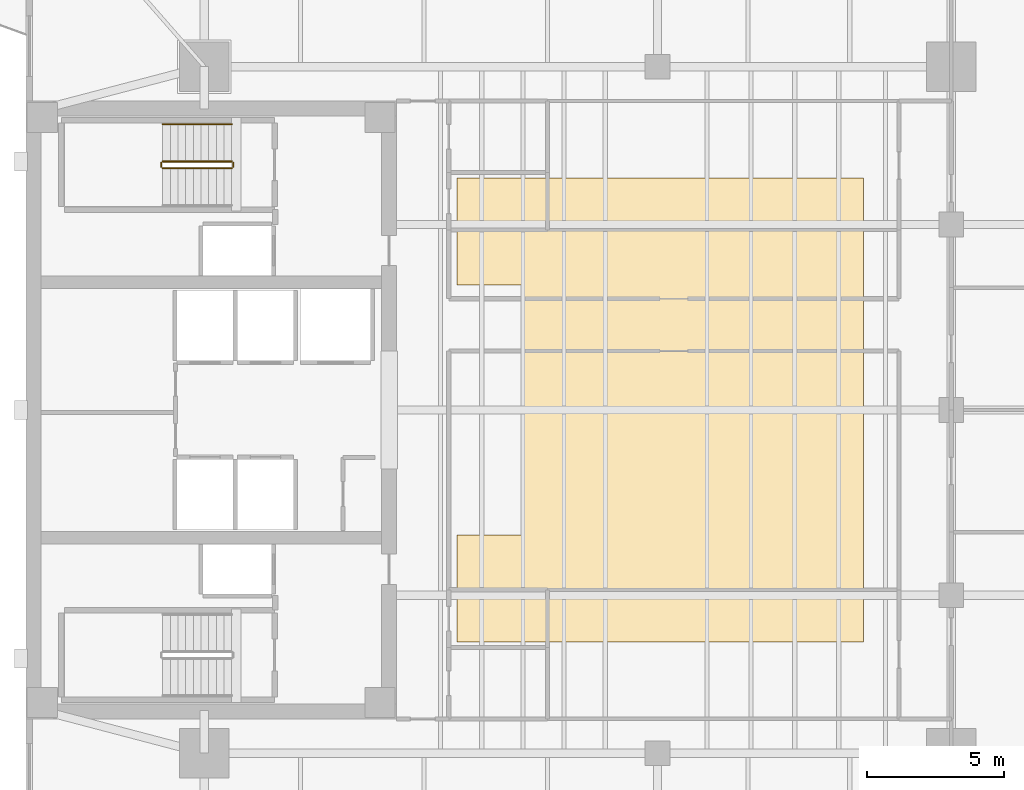
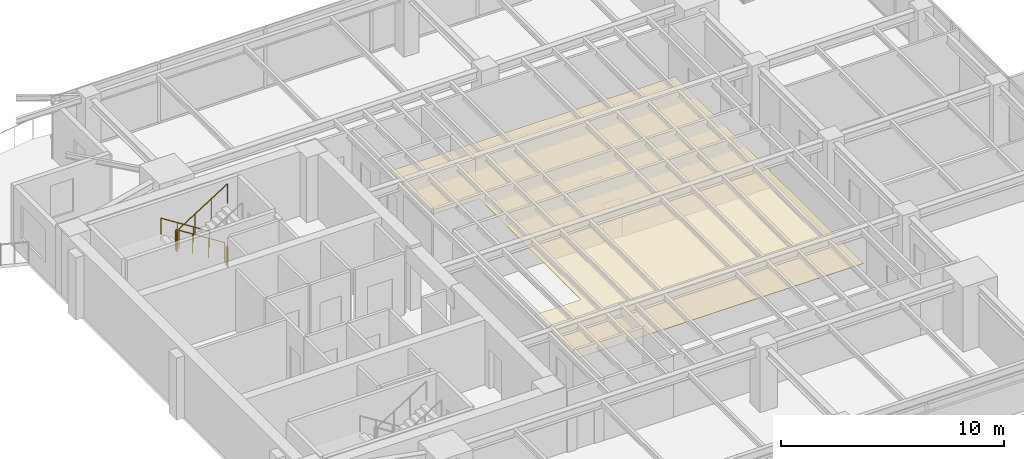
# One storey, part 13 of 14: 5 railings, 1 covering.
"""IFC4 building model written with IfcOpenShell, lengths in metres."""

from ifc_helpers import new_model, si_unit, direction, frame, origin, origin_2d, place, context, subcontext, project, spatial, polyline, circle, outline, extrude, material, layer, layer_set, type_object, element, save


model = new_model("IFC4")

# Units and contexts
model_context = context("Model", 3, precision=1e-05, world=origin(), true_north=direction((0.0, 1.0)))
body_context = subcontext(model_context, "Body", "Model", "MODEL_VIEW")
ifc_project = project(units=[si_unit("LENGTHUNIT", "METRE"), si_unit("AREAUNIT", "SQUARE_METRE"), si_unit("VOLUMEUNIT", "CUBIC_METRE"), si_unit("PLANEANGLEUNIT", "RADIAN"), si_unit("MASSUNIT", "GRAM", prefix="KILO")], contexts=[model_context])

# Site, building, storey
site_placement = place(None, origin())
site = spatial("IfcSite", under=ifc_project, at=site_placement, CompositionType="ELEMENT")
building_placement = place(site_placement, origin())
building = spatial("IfcBuilding", under=site, at=building_placement, Name="Kinhvarn Gate Tower", CompositionType="ELEMENT")
storey_placement = place(building_placement, frame((0.0, 0.0, 209.35009765625)))
storey = spatial("IfcBuildingStorey", under=building, at=storey_placement, Name="L55", CompositionType="ELEMENT", Elevation=209.35009765625)

# Covering
ifc_material_1 = material(Name="Mineral-fibre acoustic ceiling tile")
ifc_layer = layer(ifc_material_1, 0.02001953125)
ifc_layer_set = layer_set([ifc_layer], Name="Mineral-fibre acoustic ceiling tile")
covering_type = type_object("IfcCoveringType", Name="COV-CEIL-20", PredefinedType="CEILING", material=ifc_layer_set)
covering_placement = place(storey_placement, frame((0.0, 0.0, 2.64990234375)))
element("IfcCovering", 1, at=covering_placement, inside=storey, type_object=covering_type, Name="Suspended Acoustic Ceiling Tile (L55-1)", PredefinedType="CEILING", context=body_context, shape_type="SweptSolid", body=[
    extrude(outline(polyline([(35.0, 33.699951171875), (35.0, 16.800048828125), (20.199951171875, 16.800048828125), (20.199951171875, 20.699951171875), (22.60009765625, 20.699951171875), (22.60009765625, 29.800048828125), (20.199951171875, 29.800048828125), (20.199951171875, 33.699951171875), (35.0, 33.699951171875)])), origin(), (0.0, 0.0, 1.0), 0.02001953125),
])

# Railings
ifc_material_2 = material(Name="Steel S355", Category="steel")
railing_type_1 = type_object("IfcRailingType", Name="RL-ST-GRD", PredefinedType="BALUSTRADE", material=ifc_material_2)
railing_1_placement = place(storey_placement, frame((12.0, 34.300048828125, 0.177490234375)))
element("IfcRailing", 2, at=railing_1_placement, inside=storey, type_object=railing_type_1, Name="L55 ST2 stair guard 1", PredefinedType="BALUSTRADE", context=body_context, shape_type="SweptSolid", body=[
    extrude(circle(Radius=0.02392578125, at=origin_2d()), frame((0.0, 0.0, 1.076171875), z_axis=(-0.84460694969, 0.0, 0.535386869969), x_axis=(0.0, -1.0, 0.0)), (0.0, 0.0, 1.0), 2.983642578125),
    extrude(circle(Radius=0.02099609375, at=origin_2d()), origin(), (0.0, 0.0, 1.0), 1.052001953125),
    extrude(circle(Radius=0.02099609375, at=origin_2d()), frame((-0.840087890625, 0.0, 0.532470703125)), (0.0, 0.0, 1.0), 1.052001953125),
    extrude(circle(Radius=0.02099609375, at=origin_2d()), frame((-1.679931640625, 0.0, 1.06494140625)), (0.0, 0.0, 1.0), 1.052001953125),
    extrude(circle(Radius=0.02099609375, at=origin_2d()), frame((-2.52001953125, 0.0, 1.597412109375)), (0.0, 0.0, 1.0), 1.052001953125),
])
railing_2_placement = place(storey_placement, frame((9.429931640625, 34.25, 1.77490234375)))
element("IfcRailing", 3, at=railing_2_placement, inside=storey, type_object=railing_type_1, Name="L55 ST2 stair guard 2", PredefinedType="BALUSTRADE", context=body_context, shape_type="SweptSolid", body=[
    extrude(circle(Radius=0.02392578125, at=origin_2d()), frame((0.0, 0.0, 1.076171875), z_axis=(0.0, -1.0, 0.0), x_axis=(1.0, 0.0, 0.0)), (0.0, 0.0, 1.0), 0.14990234375),
    extrude(circle(Radius=0.02099609375, at=origin_2d()), origin(), (0.0, 0.0, 1.0), 1.052001953125),
    extrude(circle(Radius=0.02099609375, at=origin_2d()), frame((0.0, -0.14990234375, 0.0)), (0.0, 0.0, 1.0), 1.052001953125),
])
railing_3_placement = place(storey_placement, frame((9.47998046875, 34.050048828125, 1.952392578125)))
element("IfcRailing", 4, at=railing_3_placement, inside=storey, type_object=railing_type_1, Name="L55 ST2 stair guard 3", PredefinedType="BALUSTRADE", context=body_context, shape_type="SweptSolid", body=[
    extrude(circle(Radius=0.02392578125, at=origin_2d()), frame((0.0, 0.0, 1.076171875), z_axis=(0.84460694969, 0.0, 0.535386869969), x_axis=(0.0, 1.0, 0.0)), (0.0, 0.0, 1.0), 2.983642578125),
    extrude(circle(Radius=0.02099609375, at=origin_2d()), origin(), (0.0, 0.0, 1.0), 1.052001953125),
    extrude(circle(Radius=0.02099609375, at=origin_2d()), frame((0.840087890625, 0.0, 0.532470703125)), (0.0, 0.0, 1.0), 1.052001953125),
    extrude(circle(Radius=0.02099609375, at=origin_2d()), frame((1.679931640625, 0.0, 1.06494140625)), (0.0, 0.0, 1.0), 1.052001953125),
    extrude(circle(Radius=0.02099609375, at=origin_2d()), frame((2.52001953125, 0.0, 1.597412109375)), (0.0, 0.0, 1.0), 1.052001953125),
])
railing_4_placement = place(storey_placement, frame((12.050048828125, 34.25, 0.0)))
element("IfcRailing", 5, at=railing_4_placement, inside=storey, type_object=railing_type_1, Name="L55 ST2 stair guard 4", PredefinedType="BALUSTRADE", context=body_context, shape_type="SweptSolid", body=[
    extrude(circle(Radius=0.02392578125, at=origin_2d()), frame((0.0, 0.0, 1.076171875), z_axis=(0.0, -1.0, 0.0), x_axis=(1.0, 0.0, 0.0)), (0.0, 0.0, 1.0), 0.14990234375),
    extrude(circle(Radius=0.02099609375, at=origin_2d()), origin(), (0.0, 0.0, 1.0), 1.052001953125),
    extrude(circle(Radius=0.02099609375, at=origin_2d()), frame((0.0, -0.14990234375, 0.0)), (0.0, 0.0, 1.0), 1.052001953125),
])
railing_type_2 = type_object("IfcRailingType", Name="RL-ST-HND", PredefinedType="HANDRAIL", material=ifc_material_2)
railing_5_placement = place(storey_placement, frame((12.0, 35.64990234375, 0.177490234375)))
element("IfcRailing", 6, at=railing_5_placement, inside=storey, type_object=railing_type_2, Name="L55 ST2 stair handrail 1", PredefinedType="HANDRAIL", context=body_context, shape_type="SweptSolid", body=[
    extrude(circle(Radius=0.02392578125, at=origin_2d()), frame((0.0, 0.0, 0.8759765625), z_axis=(-0.84460694969, 0.0, 0.535386869969), x_axis=(0.0, -1.0, 0.0)), (0.0, 0.0, 1.0), 2.983642578125),
    extrude(circle(Radius=0.02099609375, at=origin_2d()), origin(), (0.0, 0.0, 1.0), 0.851806640625),
    extrude(circle(Radius=0.02099609375, at=origin_2d()), frame((-0.840087890625, 0.0, 0.532470703125)), (0.0, 0.0, 1.0), 0.851806640625),
    extrude(circle(Radius=0.02099609375, at=origin_2d()), frame((-1.679931640625, 0.0, 1.06494140625)), (0.0, 0.0, 1.0), 0.851806640625),
    extrude(circle(Radius=0.02099609375, at=origin_2d()), frame((-2.52001953125, 0.0, 1.597412109375)), (0.0, 0.0, 1.0), 0.851806640625),
])

save(model, "model.ifc")
